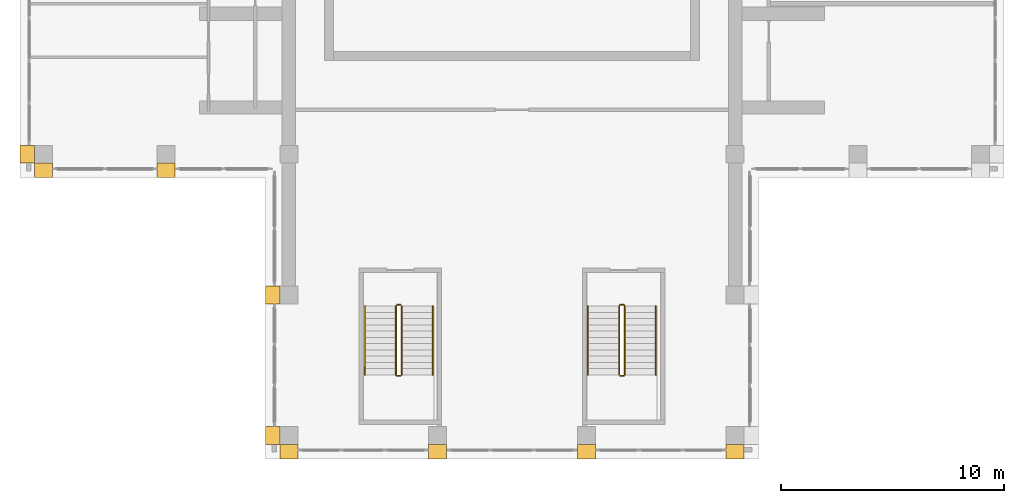
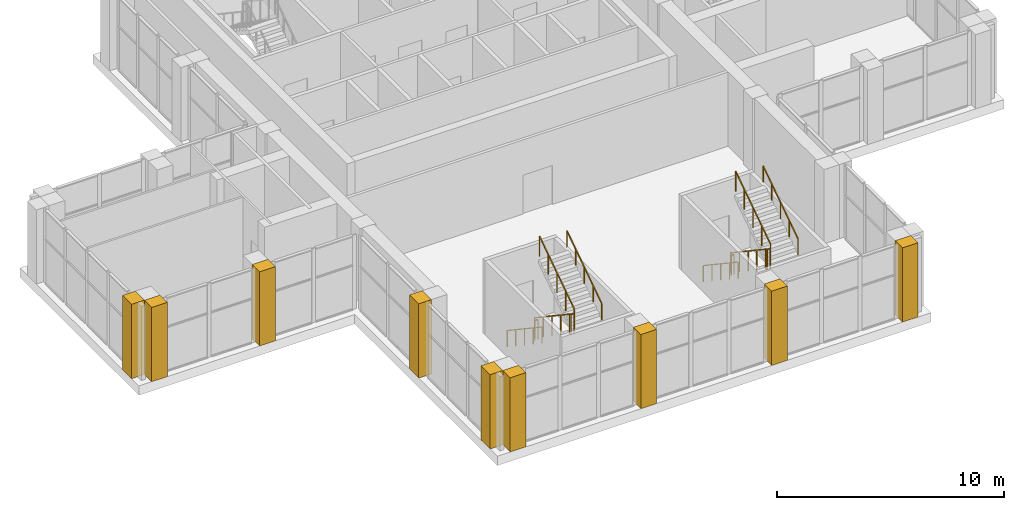
# One storey, part 13 of 15: 10 railings, 9 coverings.
"""IFC4 building model written with IfcOpenShell, lengths in metres."""

from ifc_helpers import new_model, si_unit, direction, frame, origin, origin_2d, place, context, subcontext, project, spatial, polyline, rectangle, outline, extrude, material, type_object, element, save


model = new_model("IFC4")

# Units and contexts
model_context = context("Model", 3, precision=1e-05, world=origin(), true_north=direction((0.0, 1.0)))
body_context = subcontext(model_context, "Body", "Model", "MODEL_VIEW")
ifc_project = project(units=[si_unit("LENGTHUNIT", "METRE"), si_unit("AREAUNIT", "SQUARE_METRE"), si_unit("VOLUMEUNIT", "CUBIC_METRE"), si_unit("PLANEANGLEUNIT", "RADIAN"), si_unit("MASSUNIT", "GRAM", prefix="KILO")], contexts=[model_context])

# Site, building, storey
site_placement = place(None, origin())
site = spatial("IfcSite", under=ifc_project, at=site_placement, CompositionType="ELEMENT")
building_placement = place(site_placement, origin())
building = spatial("IfcBuilding", under=site, at=building_placement, Name="Vermilion Ogive Tower", CompositionType="ELEMENT")
storey_placement = place(building_placement, frame((0.0, 0.0, 293.85009765625)))
storey = spatial("IfcBuildingStorey", under=building, at=storey_placement, Name="L76", CompositionType="ELEMENT", Elevation=293.85009765625)

# Railings
ifc_material_1 = material(Name="Steel S355 painted", Category="steel")
railing_type_1 = type_object("IfcRailingType", Name="Stair guard 1100", PredefinedType="GUARDRAIL", material=ifc_material_1)
railing_1_placement = place(storey_placement, frame((4.800048828125, -6.800048828125, 0.1875)))
element("IfcRailing", 1, at=railing_1_placement, inside=storey, type_object=railing_type_1, Name="L76 ST6 stair guard 1", PredefinedType="GUARDRAIL", context=body_context, shape_type="SweptSolid", body=[
    extrude(rectangle(XDim=0.048095703125, YDim=0.048095703125, at=origin_2d()), frame((0.0, 0.0, 1.076171875), z_axis=(0.0, -0.830893310487, 0.556431762742), x_axis=(1.0, 0.0, 0.0)), (0.0, 0.0, 1.0), 3.70654296875),
    extrude(rectangle(XDim=0.048095703125, YDim=0.048095703125, at=origin_2d()), frame((0.0, -3.079833984375, 3.138671875), z_axis=(0.707106781187, -0.707106781187, 0.0), x_axis=(0.707106781187, 0.707106781187, 0.0)), (0.0, 0.0, 1.0), 0.07080078125),
    extrude(rectangle(XDim=0.048095703125, YDim=0.048095703125, at=origin_2d()), frame((0.050048828125, -3.1298828125, 3.138671875), z_axis=(1.0, 0.0, 0.0), x_axis=(0.0, 1.0, 0.0)), (0.0, 0.0, 1.0), 0.14990234375),
    extrude(rectangle(XDim=0.0419921875, YDim=0.0419921875, at=origin_2d()), origin(), (0.0, 0.0, 1.0), 1.052001953125),
    extrude(rectangle(XDim=0.0419921875, YDim=0.0419921875, at=origin_2d()), frame((0.0, -0.77001953125, 0.515625)), (0.0, 0.0, 1.0), 1.052001953125),
    extrude(rectangle(XDim=0.0419921875, YDim=0.0419921875, at=origin_2d()), frame((0.0, -1.5400390625, 1.03125)), (0.0, 0.0, 1.0), 1.052001953125),
    extrude(rectangle(XDim=0.0419921875, YDim=0.0419921875, at=origin_2d()), frame((0.0, -2.309814453125, 1.546875)), (0.0, 0.0, 1.0), 1.052001953125),
    extrude(rectangle(XDim=0.0419921875, YDim=0.0419921875, at=origin_2d()), frame((0.0, -3.079833984375, 2.0625)), (0.0, 0.0, 1.0), 1.052001953125),
    extrude(rectangle(XDim=0.0419921875, YDim=0.0419921875, at=origin_2d()), frame((0.050048828125, -3.1298828125, 2.0625)), (0.0, 0.0, 1.0), 1.052001953125),
    extrude(rectangle(XDim=0.0419921875, YDim=0.0419921875, at=origin_2d()), frame((0.199951171875, -3.1298828125, 2.0625)), (0.0, 0.0, 1.0), 1.052001953125),
])
railing_2_placement = place(storey_placement, frame((5.050048828125, -9.8798828125, 2.4375)))
element("IfcRailing", 2, at=railing_2_placement, inside=storey, type_object=railing_type_1, Name="L76 ST6 stair guard 3", PredefinedType="GUARDRAIL", context=body_context, shape_type="SweptSolid", body=[
    extrude(rectangle(XDim=0.048095703125, YDim=0.048095703125, at=origin_2d()), frame((0.0, 0.0, 1.076171875), z_axis=(0.0, 0.830893310487, 0.556431762742), x_axis=(-1.0, 0.0, 0.0)), (0.0, 0.0, 1.0), 3.70654296875),
    extrude(rectangle(XDim=0.0419921875, YDim=0.0419921875, at=origin_2d()), origin(), (0.0, 0.0, 1.0), 1.052001953125),
    extrude(rectangle(XDim=0.0419921875, YDim=0.0419921875, at=origin_2d()), frame((0.0, 0.77001953125, 0.515625)), (0.0, 0.0, 1.0), 1.052001953125),
    extrude(rectangle(XDim=0.0419921875, YDim=0.0419921875, at=origin_2d()), frame((0.0, 1.5400390625, 1.03125)), (0.0, 0.0, 1.0), 1.052001953125),
    extrude(rectangle(XDim=0.0419921875, YDim=0.0419921875, at=origin_2d()), frame((0.0, 2.309814453125, 1.546875)), (0.0, 0.0, 1.0), 1.052001953125),
    extrude(rectangle(XDim=0.0419921875, YDim=0.0419921875, at=origin_2d()), frame((0.0, 3.079833984375, 2.0625)), (0.0, 0.0, 1.0), 1.052001953125),
])
railing_3_placement = place(storey_placement, frame((4.85009765625, -6.75, 0.0)))
element("IfcRailing", 3, at=railing_3_placement, inside=storey, type_object=railing_type_1, Name="L76 ST6 stair guard 4", PredefinedType="GUARDRAIL", context=body_context, shape_type="SweptSolid", body=[
    extrude(rectangle(XDim=0.048095703125, YDim=0.048095703125, at=origin_2d()), frame((0.0, 0.0, 1.076171875), z_axis=(1.0, 0.0, 0.0), x_axis=(0.0, 1.0, 0.0)), (0.0, 0.0, 1.0), 0.14990234375),
    extrude(rectangle(XDim=0.0419921875, YDim=0.0419921875, at=origin_2d()), origin(), (0.0, 0.0, 1.0), 1.052001953125),
    extrude(rectangle(XDim=0.0419921875, YDim=0.0419921875, at=origin_2d()), frame((0.14990234375, 0.0, 0.0)), (0.0, 0.0, 1.0), 1.052001953125),
])
railing_4_placement = place(storey_placement, frame((-5.199951171875, -6.800048828125, 0.1875)))
element("IfcRailing", 4, at=railing_4_placement, inside=storey, type_object=railing_type_1, Name="L76 ST7 stair guard 1", PredefinedType="GUARDRAIL", context=body_context, shape_type="SweptSolid", body=[
    extrude(rectangle(XDim=0.048095703125, YDim=0.048095703125, at=origin_2d()), frame((0.0, 0.0, 1.076171875), z_axis=(0.0, -0.830893310487, 0.556431762742), x_axis=(1.0, 0.0, 0.0)), (0.0, 0.0, 1.0), 3.70654296875),
    extrude(rectangle(XDim=0.048095703125, YDim=0.048095703125, at=origin_2d()), frame((0.0, -3.079833984375, 3.138671875), z_axis=(0.707106781187, -0.707106781187, 0.0), x_axis=(0.707106781187, 0.707106781187, 0.0)), (0.0, 0.0, 1.0), 0.07080078125),
    extrude(rectangle(XDim=0.048095703125, YDim=0.048095703125, at=origin_2d()), frame((0.050048828125, -3.1298828125, 3.138671875), z_axis=(1.0, 0.0, 0.0), x_axis=(0.0, 1.0, 0.0)), (0.0, 0.0, 1.0), 0.14990234375),
    extrude(rectangle(XDim=0.0419921875, YDim=0.0419921875, at=origin_2d()), origin(), (0.0, 0.0, 1.0), 1.052001953125),
    extrude(rectangle(XDim=0.0419921875, YDim=0.0419921875, at=origin_2d()), frame((0.0, -0.77001953125, 0.515625)), (0.0, 0.0, 1.0), 1.052001953125),
    extrude(rectangle(XDim=0.0419921875, YDim=0.0419921875, at=origin_2d()), frame((0.0, -1.5400390625, 1.03125)), (0.0, 0.0, 1.0), 1.052001953125),
    extrude(rectangle(XDim=0.0419921875, YDim=0.0419921875, at=origin_2d()), frame((0.0, -2.309814453125, 1.546875)), (0.0, 0.0, 1.0), 1.052001953125),
    extrude(rectangle(XDim=0.0419921875, YDim=0.0419921875, at=origin_2d()), frame((0.0, -3.079833984375, 2.0625)), (0.0, 0.0, 1.0), 1.052001953125),
    extrude(rectangle(XDim=0.0419921875, YDim=0.0419921875, at=origin_2d()), frame((0.050048828125, -3.1298828125, 2.0625)), (0.0, 0.0, 1.0), 1.052001953125),
    extrude(rectangle(XDim=0.0419921875, YDim=0.0419921875, at=origin_2d()), frame((0.199951171875, -3.1298828125, 2.0625)), (0.0, 0.0, 1.0), 1.052001953125),
])
railing_5_placement = place(storey_placement, frame((-4.949951171875, -9.8798828125, 2.4375)))
element("IfcRailing", 5, at=railing_5_placement, inside=storey, type_object=railing_type_1, Name="L76 ST7 stair guard 3", PredefinedType="GUARDRAIL", context=body_context, shape_type="SweptSolid", body=[
    extrude(rectangle(XDim=0.048095703125, YDim=0.048095703125, at=origin_2d()), frame((0.0, 0.0, 1.076171875), z_axis=(0.0, 0.830893310487, 0.556431762742), x_axis=(-1.0, 0.0, 0.0)), (0.0, 0.0, 1.0), 3.70654296875),
    extrude(rectangle(XDim=0.0419921875, YDim=0.0419921875, at=origin_2d()), origin(), (0.0, 0.0, 1.0), 1.052001953125),
    extrude(rectangle(XDim=0.0419921875, YDim=0.0419921875, at=origin_2d()), frame((0.0, 0.77001953125, 0.515625)), (0.0, 0.0, 1.0), 1.052001953125),
    extrude(rectangle(XDim=0.0419921875, YDim=0.0419921875, at=origin_2d()), frame((0.0, 1.5400390625, 1.03125)), (0.0, 0.0, 1.0), 1.052001953125),
    extrude(rectangle(XDim=0.0419921875, YDim=0.0419921875, at=origin_2d()), frame((0.0, 2.309814453125, 1.546875)), (0.0, 0.0, 1.0), 1.052001953125),
    extrude(rectangle(XDim=0.0419921875, YDim=0.0419921875, at=origin_2d()), frame((0.0, 3.079833984375, 2.0625)), (0.0, 0.0, 1.0), 1.052001953125),
])
railing_6_placement = place(storey_placement, frame((-5.14990234375, -6.75, 0.0)))
element("IfcRailing", 6, at=railing_6_placement, inside=storey, type_object=railing_type_1, Name="L76 ST7 stair guard 4", PredefinedType="GUARDRAIL", context=body_context, shape_type="SweptSolid", body=[
    extrude(rectangle(XDim=0.048095703125, YDim=0.048095703125, at=origin_2d()), frame((0.0, 0.0, 1.076171875), z_axis=(1.0, 0.0, 0.0), x_axis=(0.0, 1.0, 0.0)), (0.0, 0.0, 1.0), 0.14990234375),
    extrude(rectangle(XDim=0.0419921875, YDim=0.0419921875, at=origin_2d()), origin(), (0.0, 0.0, 1.0), 1.052001953125),
    extrude(rectangle(XDim=0.0419921875, YDim=0.0419921875, at=origin_2d()), frame((0.14990234375, 0.0, 0.0)), (0.0, 0.0, 1.0), 1.052001953125),
])
ifc_material_2 = material(Name="Stainless steel", Category="steel")
railing_type_2 = type_object("IfcRailingType", Name="Stair handrail 900", PredefinedType="HANDRAIL", material=ifc_material_2)
railing_7_placement = place(storey_placement, frame((3.39990234375, -6.800048828125, 0.1875)))
element("IfcRailing", 7, at=railing_7_placement, inside=storey, type_object=railing_type_2, Name="L76 ST6 stair handrail 1", PredefinedType="HANDRAIL", context=body_context, shape_type="SweptSolid", body=[
    extrude(rectangle(XDim=0.048095703125, YDim=0.048095703125, at=origin_2d()), frame((0.0, 0.0, 0.8759765625), z_axis=(0.0, -0.830893310487, 0.556431762742), x_axis=(1.0, 0.0, 0.0)), (0.0, 0.0, 1.0), 3.70654296875),
    extrude(rectangle(XDim=0.0419921875, YDim=0.0419921875, at=origin_2d()), origin(), (0.0, 0.0, 1.0), 0.851806640625),
    extrude(rectangle(XDim=0.0419921875, YDim=0.0419921875, at=origin_2d()), frame((0.0, -0.77001953125, 0.515625)), (0.0, 0.0, 1.0), 0.851806640625),
    extrude(rectangle(XDim=0.0419921875, YDim=0.0419921875, at=origin_2d()), frame((0.0, -1.5400390625, 1.03125)), (0.0, 0.0, 1.0), 0.851806640625),
    extrude(rectangle(XDim=0.0419921875, YDim=0.0419921875, at=origin_2d()), frame((0.0, -2.309814453125, 1.546875)), (0.0, 0.0, 1.0), 0.851806640625),
    extrude(rectangle(XDim=0.0419921875, YDim=0.0419921875, at=origin_2d()), frame((0.0, -3.079833984375, 2.0625)), (0.0, 0.0, 1.0), 0.851806640625),
])
railing_8_placement = place(storey_placement, frame((6.449951171875, -9.8798828125, 2.4375)))
element("IfcRailing", 8, at=railing_8_placement, inside=storey, type_object=railing_type_2, Name="L76 ST6 stair handrail 2", PredefinedType="HANDRAIL", context=body_context, shape_type="SweptSolid", body=[
    extrude(rectangle(XDim=0.048095703125, YDim=0.048095703125, at=origin_2d()), frame((0.0, 0.0, 0.8759765625), z_axis=(0.0, 0.830893310487, 0.556431762742), x_axis=(-1.0, 0.0, 0.0)), (0.0, 0.0, 1.0), 3.70654296875),
    extrude(rectangle(XDim=0.0419921875, YDim=0.0419921875, at=origin_2d()), origin(), (0.0, 0.0, 1.0), 0.851806640625),
    extrude(rectangle(XDim=0.0419921875, YDim=0.0419921875, at=origin_2d()), frame((0.0, 0.77001953125, 0.515625)), (0.0, 0.0, 1.0), 0.851806640625),
    extrude(rectangle(XDim=0.0419921875, YDim=0.0419921875, at=origin_2d()), frame((0.0, 1.5400390625, 1.03125)), (0.0, 0.0, 1.0), 0.851806640625),
    extrude(rectangle(XDim=0.0419921875, YDim=0.0419921875, at=origin_2d()), frame((0.0, 2.309814453125, 1.546875)), (0.0, 0.0, 1.0), 0.851806640625),
    extrude(rectangle(XDim=0.0419921875, YDim=0.0419921875, at=origin_2d()), frame((0.0, 3.079833984375, 2.0625)), (0.0, 0.0, 1.0), 0.851806640625),
])
railing_9_placement = place(storey_placement, frame((-6.60009765625, -6.800048828125, 0.1875)))
element("IfcRailing", 9, at=railing_9_placement, inside=storey, type_object=railing_type_2, Name="L76 ST7 stair handrail 1", PredefinedType="HANDRAIL", context=body_context, shape_type="SweptSolid", body=[
    extrude(rectangle(XDim=0.048095703125, YDim=0.048095703125, at=origin_2d()), frame((0.0, 0.0, 0.8759765625), z_axis=(0.0, -0.830893310487, 0.556431762742), x_axis=(1.0, 0.0, 0.0)), (0.0, 0.0, 1.0), 3.70654296875),
    extrude(rectangle(XDim=0.0419921875, YDim=0.0419921875, at=origin_2d()), origin(), (0.0, 0.0, 1.0), 0.851806640625),
    extrude(rectangle(XDim=0.0419921875, YDim=0.0419921875, at=origin_2d()), frame((0.0, -0.77001953125, 0.515625)), (0.0, 0.0, 1.0), 0.851806640625),
    extrude(rectangle(XDim=0.0419921875, YDim=0.0419921875, at=origin_2d()), frame((0.0, -1.5400390625, 1.03125)), (0.0, 0.0, 1.0), 0.851806640625),
    extrude(rectangle(XDim=0.0419921875, YDim=0.0419921875, at=origin_2d()), frame((0.0, -2.309814453125, 1.546875)), (0.0, 0.0, 1.0), 0.851806640625),
    extrude(rectangle(XDim=0.0419921875, YDim=0.0419921875, at=origin_2d()), frame((0.0, -3.079833984375, 2.0625)), (0.0, 0.0, 1.0), 0.851806640625),
])
railing_10_placement = place(storey_placement, frame((-3.550048828125, -9.8798828125, 2.4375)))
element("IfcRailing", 10, at=railing_10_placement, inside=storey, type_object=railing_type_2, Name="L76 ST7 stair handrail 2", PredefinedType="HANDRAIL", context=body_context, shape_type="SweptSolid", body=[
    extrude(rectangle(XDim=0.048095703125, YDim=0.048095703125, at=origin_2d()), frame((0.0, 0.0, 0.8759765625), z_axis=(0.0, 0.830893310487, 0.556431762742), x_axis=(-1.0, 0.0, 0.0)), (0.0, 0.0, 1.0), 3.70654296875),
    extrude(rectangle(XDim=0.0419921875, YDim=0.0419921875, at=origin_2d()), origin(), (0.0, 0.0, 1.0), 0.851806640625),
    extrude(rectangle(XDim=0.0419921875, YDim=0.0419921875, at=origin_2d()), frame((0.0, 0.77001953125, 0.515625)), (0.0, 0.0, 1.0), 0.851806640625),
    extrude(rectangle(XDim=0.0419921875, YDim=0.0419921875, at=origin_2d()), frame((0.0, 1.5400390625, 1.03125)), (0.0, 0.0, 1.0), 0.851806640625),
    extrude(rectangle(XDim=0.0419921875, YDim=0.0419921875, at=origin_2d()), frame((0.0, 2.309814453125, 1.546875)), (0.0, 0.0, 1.0), 0.851806640625),
    extrude(rectangle(XDim=0.0419921875, YDim=0.0419921875, at=origin_2d()), frame((0.0, 3.079833984375, 2.0625)), (0.0, 0.0, 1.0), 0.851806640625),
])

# Coverings
ifc_material_3 = material(Name="Stone cladding", Category="masonry")
covering_type = type_object("IfcCoveringType", Name="Stone pier", PredefinedType="CLADDING", material=ifc_material_3)
covering_1_placement = place(storey_placement, origin())
element("IfcCovering", 11, at=covering_1_placement, inside=storey, type_object=covering_type, Name="Stone pier P+0033-126", PredefinedType="CLADDING", context=body_context, shape_type="SweptSolid", body=[
    extrude(outline(polyline([(3.7333984375, -13.0), (3.7333984375, -13.64990234375), (2.933349609375, -13.64990234375), (2.933349609375, -13.0), (2.933349609375, -13.0), (3.7333984375, -13.0)])), origin(), (0.0, 0.0, 1.0), 4.0),
])
covering_2_placement = place(storey_placement, origin())
element("IfcCovering", 12, at=covering_2_placement, inside=storey, type_object=covering_type, Name="Stone pier P+0100-126S", PredefinedType="CLADDING", context=body_context, shape_type="SweptSolid", body=[
    extrude(outline(polyline([(10.39990234375, -13.64990234375), (9.60009765625, -13.64990234375), (9.60009765625, -13.0), (10.39990234375, -13.0), (10.39990234375, -13.64990234375)])), origin(), (0.0, 0.0, 1.0), 4.0),
])
covering_3_placement = place(storey_placement, origin())
element("IfcCovering", 13, at=covering_3_placement, inside=storey, type_object=covering_type, Name="Stone pier P-0033-126", PredefinedType="CLADDING", context=body_context, shape_type="SweptSolid", body=[
    extrude(outline(polyline([(-2.933349609375, -13.0), (-2.933349609375, -13.64990234375), (-3.7333984375, -13.64990234375), (-3.7333984375, -13.0), (-2.933349609375, -13.0), (-2.933349609375, -13.0)])), origin(), (0.0, 0.0, 1.0), 4.0),
])
covering_4_placement = place(storey_placement, origin())
element("IfcCovering", 14, at=covering_4_placement, inside=storey, type_object=covering_type, Name="Stone pier P-0100-063", PredefinedType="CLADDING", context=body_context, shape_type="SweptSolid", body=[
    extrude(outline(polyline([(-11.050048828125, -6.699951171875), (-11.050048828125, -5.89990234375), (-10.39990234375, -5.89990234375), (-10.39990234375, -6.699951171875), (-11.050048828125, -6.699951171875)])), origin(), (0.0, 0.0, 1.0), 4.0),
])
covering_5_placement = place(storey_placement, origin())
element("IfcCovering", 15, at=covering_5_placement, inside=storey, type_object=covering_type, Name="Stone pier P-0100-126S", PredefinedType="CLADDING", context=body_context, shape_type="SweptSolid", body=[
    extrude(outline(polyline([(-9.60009765625, -13.64990234375), (-10.39990234375, -13.64990234375), (-10.39990234375, -13.0), (-9.60009765625, -13.0), (-9.60009765625, -13.64990234375)])), origin(), (0.0, 0.0, 1.0), 4.0),
])
covering_6_placement = place(storey_placement, origin())
element("IfcCovering", 16, at=covering_6_placement, inside=storey, type_object=covering_type, Name="Stone pier P-0100-126X8", PredefinedType="CLADDING", context=body_context, shape_type="SweptSolid", body=[
    extrude(outline(polyline([(-11.050048828125, -12.199951171875), (-10.39990234375, -12.199951171875), (-10.39990234375, -13.0), (-11.050048828125, -13.0), (-11.050048828125, -12.199951171875)])), origin(), (0.0, 0.0, 1.0), 4.0),
])
covering_7_placement = place(storey_placement, origin())
element("IfcCovering", 17, at=covering_7_placement, inside=storey, type_object=covering_type, Name="Stone pier P-0155+000", PredefinedType="CLADDING", context=body_context, shape_type="SweptSolid", body=[
    extrude(outline(polyline([(-15.10009765625, -1.050048828125), (-15.89990234375, -1.050048828125), (-15.89990234375, -0.39990234375), (-15.10009765625, -0.39990234375), (-15.10009765625, -1.050048828125)])), origin(), (0.0, 0.0, 1.0), 4.0),
])
covering_8_placement = place(storey_placement, origin())
element("IfcCovering", 18, at=covering_8_placement, inside=storey, type_object=covering_type, Name="Stone pier P-0210+000W", PredefinedType="CLADDING", context=body_context, shape_type="SweptSolid", body=[
    extrude(outline(polyline([(-21.39990234375, -0.39990234375), (-21.39990234375, -0.39990234375), (-22.050048828125, -0.39990234375), (-22.050048828125, 0.39990234375), (-21.39990234375, 0.39990234375), (-21.39990234375, 0.39990234375), (-21.39990234375, -0.39990234375)])), origin(), (0.0, 0.0, 1.0), 4.0),
])
covering_9_placement = place(storey_placement, origin())
element("IfcCovering", 19, at=covering_9_placement, inside=storey, type_object=covering_type, Name="Stone pier P-0210+000X7", PredefinedType="CLADDING", context=body_context, shape_type="SweptSolid", body=[
    extrude(outline(polyline([(-21.39990234375, -1.050048828125), (-21.39990234375, -0.39990234375), (-21.39990234375, -0.39990234375), (-20.60009765625, -0.39990234375), (-20.60009765625, -1.050048828125), (-21.39990234375, -1.050048828125)])), origin(), (0.0, 0.0, 1.0), 4.0),
])

save(model, "model.ifc")
